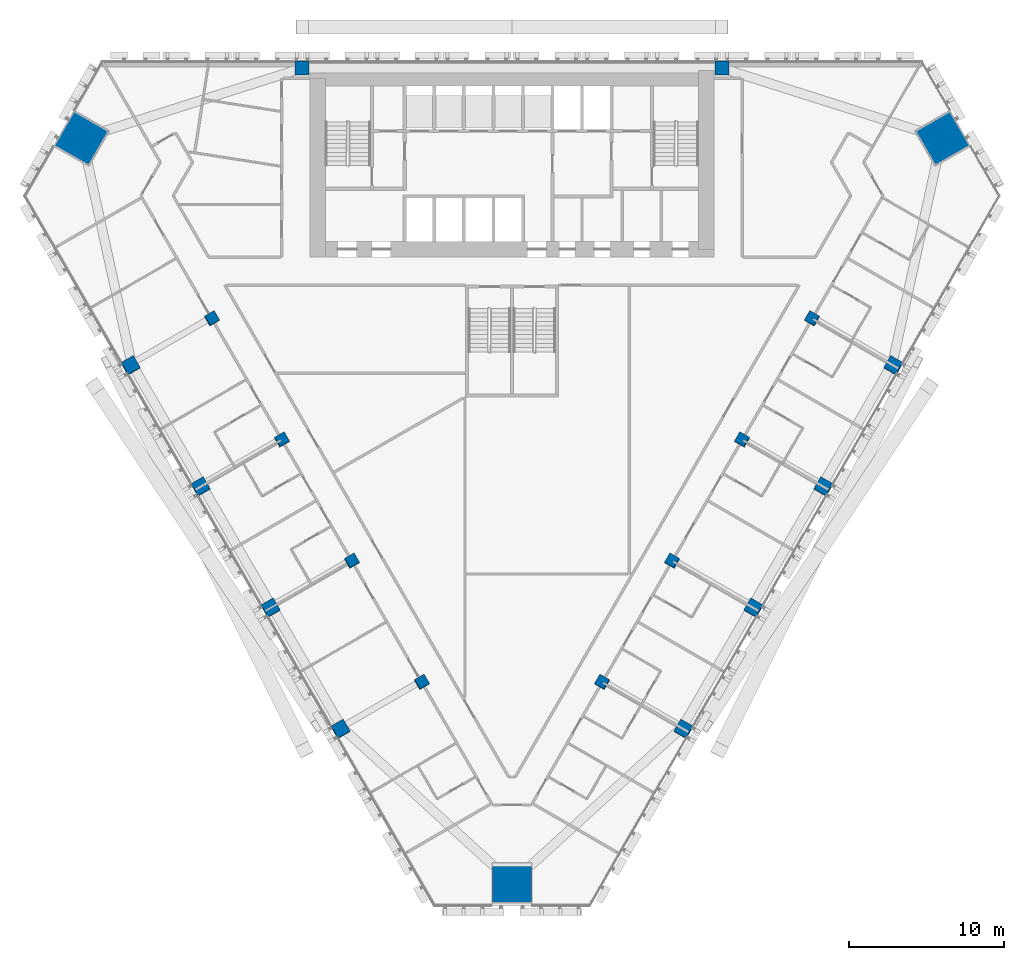
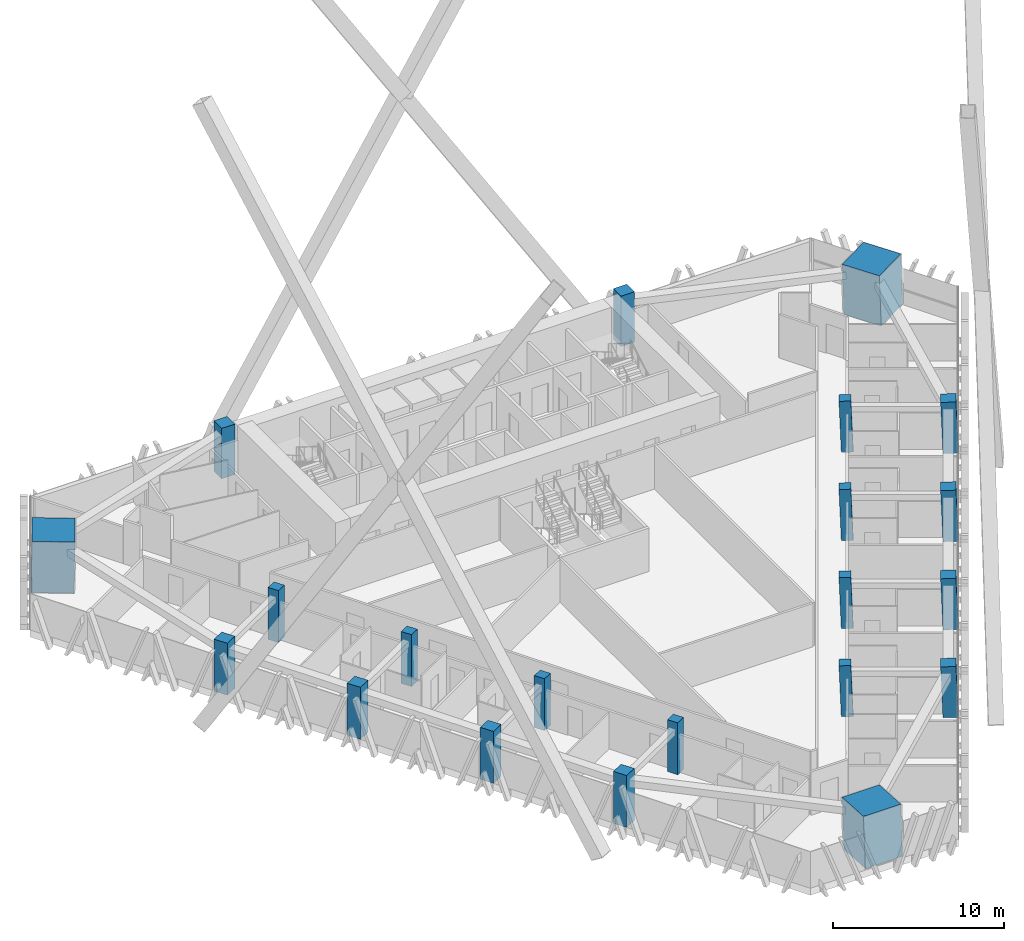
# One storey, part 1 of 24: 21 columns.
"""IFC4 building model written with IfcOpenShell, lengths in metres."""

from ifc_helpers import new_model, si_unit, direction, frame, origin, origin_2d, place, context, subcontext, project, spatial, rectangle, extrude, material, material_profile, profile_set, type_object, element, save


model = new_model("IFC4")

# Units and contexts
model_context = context("Model", 3, precision=1e-05, world=origin(), true_north=direction((0.0, 1.0)))
body_context = subcontext(model_context, "Body", "Model", "MODEL_VIEW")
ifc_project = project(units=[si_unit("LENGTHUNIT", "METRE"), si_unit("AREAUNIT", "SQUARE_METRE"), si_unit("VOLUMEUNIT", "CUBIC_METRE"), si_unit("PLANEANGLEUNIT", "RADIAN"), si_unit("MASSUNIT", "GRAM", prefix="KILO")], contexts=[model_context])

# Site, building, storey
site_placement = place(None, origin())
site = spatial("IfcSite", under=ifc_project, at=site_placement, CompositionType="ELEMENT")
building_placement = place(site_placement, origin())
building = spatial("IfcBuilding", under=site, at=building_placement, Name="Altiplano Prism Tower", CompositionType="ELEMENT")
storey_placement = place(building_placement, frame((0.0, 0.0, 27.0)))
storey = spatial("IfcBuildingStorey", under=building, at=storey_placement, Name="L05", CompositionType="ELEMENT", Elevation=27.0)

# Columns
ifc_material_1 = material(Name="Concrete C60/75", Category="concrete")
ifc_material_profile_1 = material_profile(ifc_material_1, rectangle(XDim=0.699951171875, YDim=0.699951171875, at=origin_2d()), Name="Inner column 700")
ifc_profile_set_1 = profile_set([ifc_material_profile_1], Name="Concrete C60/75")
column_type_1 = type_object("IfcColumnType", Name="Inner column 700", PredefinedType="COLUMN", material=ifc_profile_set_1)
for number, where, z_axis, x_axis, name in (
    (1, (65.692138671875, 88.4404296875, -0.021240234375), (0.02222134892, 0.038480872521, 0.999012229206), (-0.865642072591, -0.499182214127, 0.038482713782), "Inner column I11 L05"),
    (2, (70.192138671875, 80.646240234375, -0.021240234375), (0.02222134892, 0.038480872521, 0.999012229206), (-0.86564209005, -0.49918218391, 0.038482713007), "Inner column I12 L05"),
    (3, (74.692138671875, 72.85205078125, -0.021240234375), (0.02222134892, 0.038480872521, 0.999012229206), (-0.86564209878, -0.499182168802, 0.038482712619), "Inner column I13 L05"),
    (4, (79.192138671875, 65.057861328125, -0.021240234375), (0.022221406801, 0.038413224561, 0.999014831351), (-0.866024047958, -0.498523147388, 0.038432016296), "Inner column I14 L05"),
    (5, (90.807861328125, 65.057861328125, -0.021240234375), (-0.022221406801, 0.038413224561, 0.999014831351), (-0.499508315684, -0.866024881685, 0.022188890572), "Inner column I21 L05"),
    (6, (95.307861328125, 72.85205078125, -0.021240234375), (-0.02222134892, 0.038480872521, 0.999012229206), (-0.500169939593, -0.865642180581, 0.022218162104), "Inner column I22 L05"),
    (7, (99.807861328125, 80.646240234375, -0.021240234375), (-0.02222134892, 0.038480872521, 0.999012229206), (-0.500169954701, -0.865642171868, 0.022218161432), "Inner column I23 L05"),
    (8, (104.307861328125, 88.4404296875, -0.021240234375), (-0.02222134892, 0.038480872521, 0.999012229206), (-0.500169939593, -0.865642180581, 0.022218162104), "Inner column I24 L05"),
):
    element("IfcColumn", number, at=place(storey_placement, frame(where, z_axis=z_axis, x_axis=x_axis)), inside=storey, type_object=column_type_1, Name=name, PredefinedType="COLUMN", context=body_context, shape_type="SweptSolid", body=[
        extrude(rectangle(XDim=0.699951171875, YDim=0.699951171875, at=origin_2d()), origin(), (0.0, 0.0, 1.0), 3.603759765625),
    ])
ifc_material_2 = material(Name="Concrete C70/85", Category="concrete")
ifc_material_profile_2 = material_profile(ifc_material_2, rectangle(XDim=2.52001953125, YDim=2.52001953125, at=origin_2d()), Name="Mega column infill 2600")
ifc_profile_set_2 = profile_set([ifc_material_profile_2], Name="Concrete C70/85")
column_type_2 = type_object("IfcColumnType", Name="Mega column infill 2600", PredefinedType="COLUMN", material=ifc_profile_set_2)
column_1_placement = place(storey_placement, frame((57.252685546875, 100.019775390625, 0.0), z_axis=(0.028401796786, 0.009286506348, 0.999553449666), x_axis=(-0.866201915964, 0.499294786535, 0.019973905943)))
element("IfcColumn", 9, at=column_1_placement, inside=storey, type_object=column_type_2, Name="Mega column M0 L05", PredefinedType="COLUMN", context=body_context, shape_type="SweptSolid", body=[
    extrude(rectangle(XDim=2.52001953125, YDim=2.52001953125, at=origin_2d()), origin(), (0.0, 0.0, 1.0), 3.601806640625),
])
column_2_placement = place(storey_placement, frame((85.0, 51.960205078125, 0.0), z_axis=(0.0, 0.058356907999, 0.998295783467), x_axis=(-1.0, 0.0, 0.0)))
element("IfcColumn", 10, at=column_2_placement, inside=storey, type_object=column_type_2, Name="Mega column M1 L05", PredefinedType="COLUMN", context=body_context, shape_type="SweptSolid", body=[
    extrude(rectangle(XDim=2.52001953125, YDim=2.52001953125, at=origin_2d()), origin(), (0.0, 0.0, 1.0), 3.606201171875),
])
column_3_placement = place(storey_placement, frame((112.747314453125, 100.019775390625, 0.0), z_axis=(-0.028401796786, 0.009286506348, 0.999553449666), x_axis=(0.498883843993, -0.866383845889, 0.022224801134)))
element("IfcColumn", 11, at=column_3_placement, inside=storey, type_object=column_type_2, Name="Mega column M2 L05", PredefinedType="COLUMN", context=body_context, shape_type="SweptSolid", body=[
    extrude(rectangle(XDim=2.52001953125, YDim=2.52001953125, at=origin_2d()), origin(), (0.0, 0.0, 1.0), 3.601806640625),
])
ifc_material_profile_3 = material_profile(ifc_material_1, rectangle(XDim=0.89990234375, YDim=0.89990234375, at=origin_2d()), Name="Perimeter column 900")
ifc_profile_set_3 = profile_set([ifc_material_profile_3], Name="Concrete C60/75")
column_type_3 = type_object("IfcColumnType", Name="Perimeter column 900", PredefinedType="COLUMN", material=ifc_profile_set_3)
for number, where, z_axis, x_axis, name in (
    (12, (98.5, 104.550048828125, 0.0), (0.0, 0.0, 1.0), (1.0, 0.0, 0.0), "Perimeter column P01 L05"),
    (13, (71.5, 104.550048828125, 0.0), (0.0, 0.0, 1.0), (1.0, 0.0, 0.0), "Perimeter column P04 L05"),
):
    element("IfcColumn", number, at=place(storey_placement, frame(where, z_axis=z_axis, x_axis=x_axis)), inside=storey, type_object=column_type_3, Name=name, PredefinedType="COLUMN", context=body_context, shape_type="SweptSolid", body=[
        extrude(rectangle(XDim=0.89990234375, YDim=0.89990234375, at=origin_2d()), origin(), (0.0, 0.0, 1.0), 3.60009765625),
    ])
for number, where, z_axis, x_axis, name in (
    (14, (60.45263671875, 85.415283203125, -0.02734375), (0.022153634206, 0.038480930364, 0.999013730882), (-0.864982406193, -0.500326661322, 0.038453464699), "Perimeter column P11 L05"),
    (15, (64.95263671875, 77.62109375, -0.02734375), (0.02215369191, 0.038413282303, 0.999016333038), (-0.865364670574, -0.499669107893, 0.038402728296), "Perimeter column P12 L05"),
    (16, (69.45263671875, 69.826904296875, -0.02734375), (0.02215369191, 0.038413282303, 0.999016333038), (-0.865364679312, -0.499669092789, 0.038402727909), "Perimeter column P13 L05"),
    (17, (73.95263671875, 62.03271484375, -0.02734375), (0.02215369191, 0.038413282303, 0.999016333038), (-0.865364653098, -0.4996691381, 0.03840272907), "Perimeter column P14 L05"),
    (18, (96.04736328125, 62.03271484375, -0.02734375), (-0.02215369191, 0.038413282303, 0.999016333038), (-0.50065280495, -0.865364184707, 0.022171980572), "Perimeter column P21 L05"),
    (19, (100.54736328125, 69.826904296875, -0.02734375), (-0.02215369191, 0.038413282303, 0.999016333038), (-0.500652759639, -0.865364210869, 0.022171982582), "Perimeter column P22 L05"),
    (20, (105.04736328125, 77.62109375, -0.02734375), (-0.02215369191, 0.038413282303, 0.999016333038), (-0.500652774743, -0.865364202149, 0.022171981912), "Perimeter column P23 L05"),
    (21, (109.54736328125, 85.415283203125, -0.02734375), (-0.022153634206, 0.038480930364, 0.999013730882), (-0.50131289949, -0.864981202213, 0.022201275242), "Perimeter column P24 L05"),
):
    element("IfcColumn", number, at=place(storey_placement, frame(where, z_axis=z_axis, x_axis=x_axis)), inside=storey, type_object=column_type_3, Name=name, PredefinedType="COLUMN", context=body_context, shape_type="SweptSolid", body=[
        extrude(rectangle(XDim=0.89990234375, YDim=0.89990234375, at=origin_2d()), origin(), (0.0, 0.0, 1.0), 3.603759765625),
    ])

save(model, "model.ifc")
